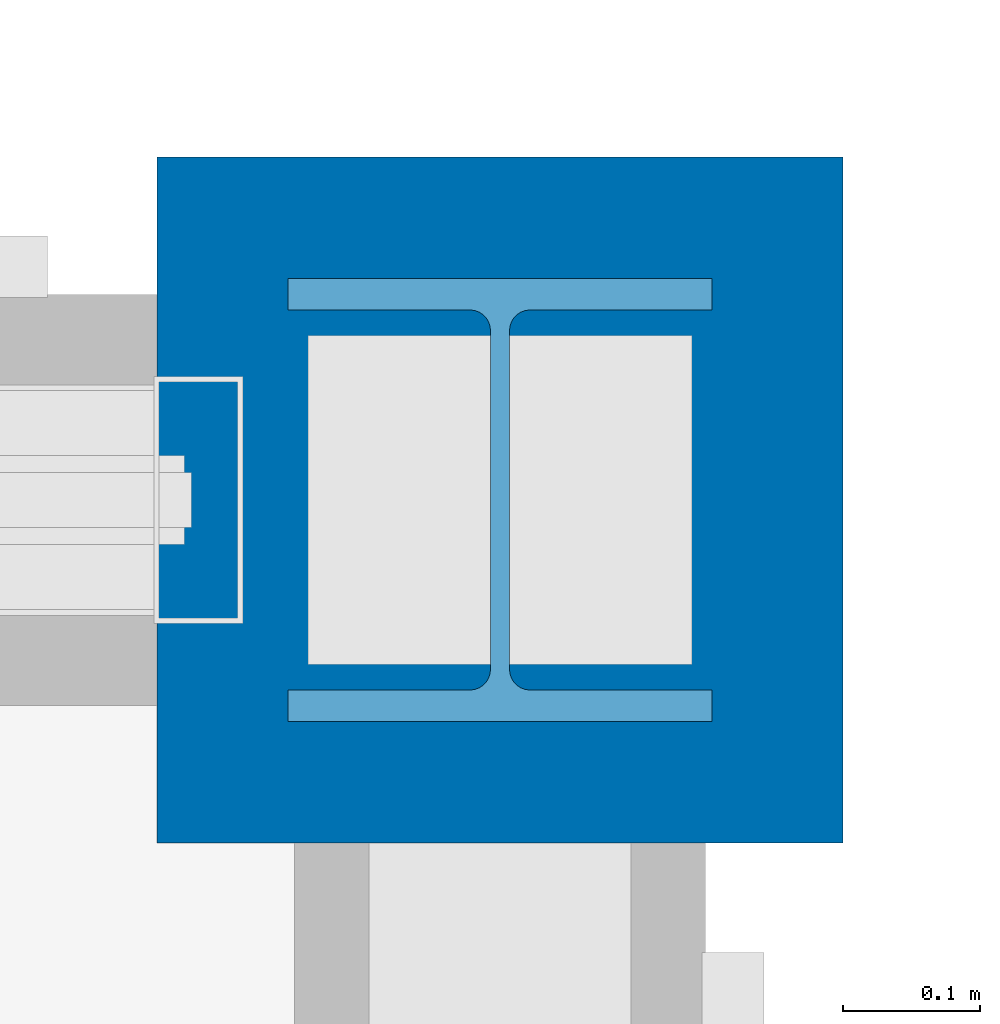
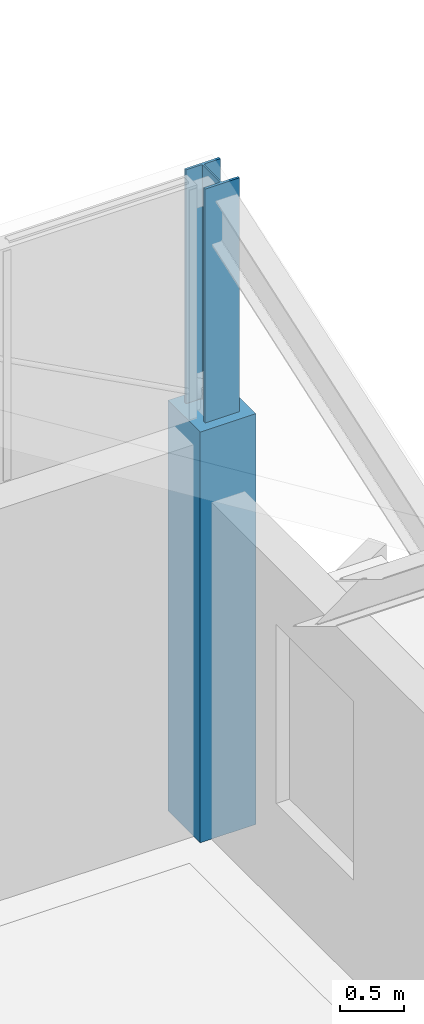
# One storey, part 14 of 82: 2 columns.
"""IFC4 building model written with IfcOpenShell, lengths in metres."""

from ifc_helpers import new_model, si_unit, direction, frame, origin, origin_2d, place, context, subcontext, project, spatial, rectangle, i_section, extrude, material, material_profile, profile_set, type_object, element, save


model = new_model("IFC4")

# Units and contexts
model_context = context("Model", 3, precision=1e-05, world=origin(), true_north=direction((0.0, 1.0)))
body_context = subcontext(model_context, "Body", "Model", "MODEL_VIEW")
ifc_project = project(units=[si_unit("LENGTHUNIT", "METRE"), si_unit("AREAUNIT", "SQUARE_METRE"), si_unit("VOLUMEUNIT", "CUBIC_METRE"), si_unit("PLANEANGLEUNIT", "RADIAN"), si_unit("MASSUNIT", "GRAM", prefix="KILO")], contexts=[model_context])

# Site, building, storey
site_placement = place(None, origin())
site = spatial("IfcSite", under=ifc_project, at=site_placement, CompositionType="ELEMENT")
building_placement = place(site_placement, origin())
building = spatial("IfcBuilding", under=site, at=building_placement, Name="Sillqori Civic Hall", CompositionType="ELEMENT")
storey_placement = place(building_placement, frame((0.0, 0.0, 14.10009765625)))
storey = spatial("IfcBuildingStorey", under=building, at=storey_placement, Name="L04", CompositionType="ELEMENT", Elevation=14.10009765625)

# Columns
ifc_material_1 = material(Name="Concrete C35/45 (H35)", Category="concrete")
ifc_material_profile_1 = material_profile(ifc_material_1, rectangle(XDim=0.5, YDim=0.5, at=origin_2d()), Name="RC 500x500")
ifc_profile_set_1 = profile_set([ifc_material_profile_1], Name="Concrete C35/45 (H35)")
column_type_1 = type_object("IfcColumnType", Name="COL-RC500", PredefinedType="COLUMN", material=ifc_profile_set_1)
column_1_placement = place(storey_placement, frame((136.800048828125, 79.199951171875, 0.0), z_axis=(0.0, 0.0, 1.0), x_axis=(1.0, 0.0, 0.0)))
element("IfcColumn", 1, at=column_1_placement, inside=storey, type_object=column_type_1, Name="L04 column 19-11", PredefinedType="COLUMN", context=body_context, shape_type="SweptSolid", body=[
    extrude(rectangle(XDim=0.5, YDim=0.5, at=origin_2d()), origin(), (0.0, 0.0, 1.0), 3.89990234375),
])
ifc_material_2 = material(Name="Steel ASTM A992", Category="steel")
ifc_material_profile_2 = material_profile(ifc_material_2, i_section(OverallWidth=0.30908203125, OverallDepth=0.322998046875, WebThickness=0.013916015625, FlangeThickness=0.02294921875, FilletRadius=0.014892578125, at=origin_2d()), Name="W12X96")
ifc_profile_set_2 = profile_set([ifc_material_profile_2], Name="Steel ASTM A992")
column_type_2 = type_object("IfcColumnType", Name="COL-W12X96", PredefinedType="COLUMN", material=ifc_profile_set_2)
column_2_placement = place(storey_placement, frame((136.800048828125, 79.199951171875, 3.89990234375), z_axis=(0.0, 0.0, 1.0), x_axis=(1.0, 0.0, 0.0)))
element("IfcColumn", 2, at=column_2_placement, inside=storey, type_object=column_type_2, Name="Clerestory ridge post 19-10", PredefinedType="COLUMN", context=body_context, shape_type="SweptSolid", body=[
    extrude(i_section(OverallWidth=0.30908203125, OverallDepth=0.322998046875, WebThickness=0.013916015625, FlangeThickness=0.02294921875, FilletRadius=0.014892578125, at=origin_2d()), origin(), (0.0, 0.0, 1.0), 2.219970703125),
])

save(model, "model.ifc")
